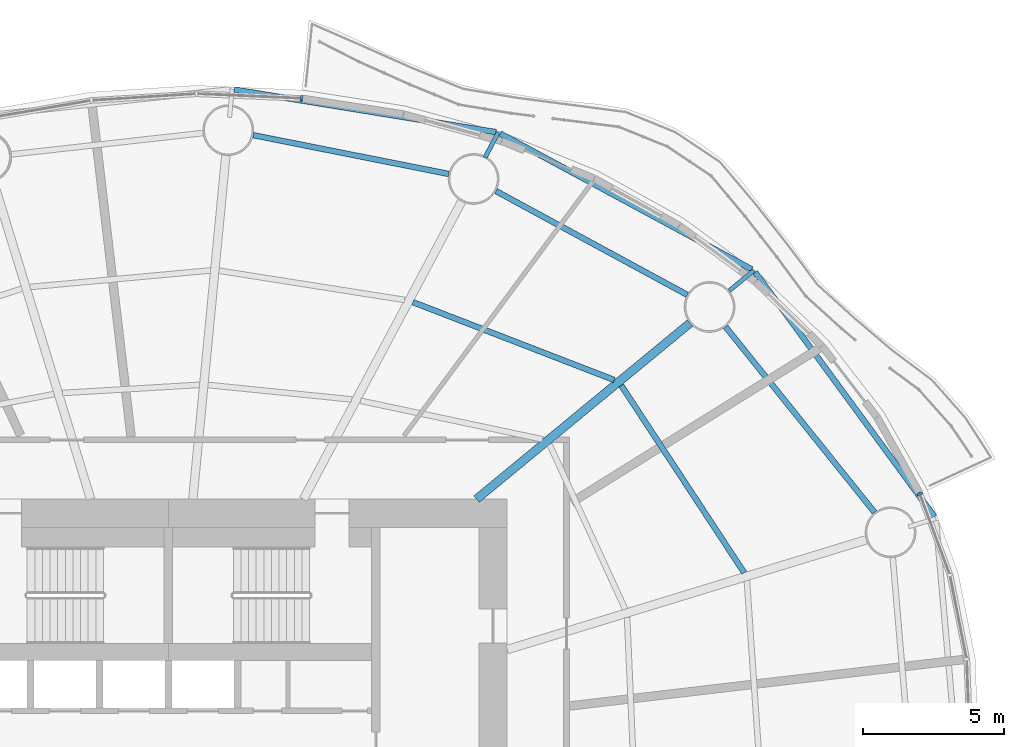
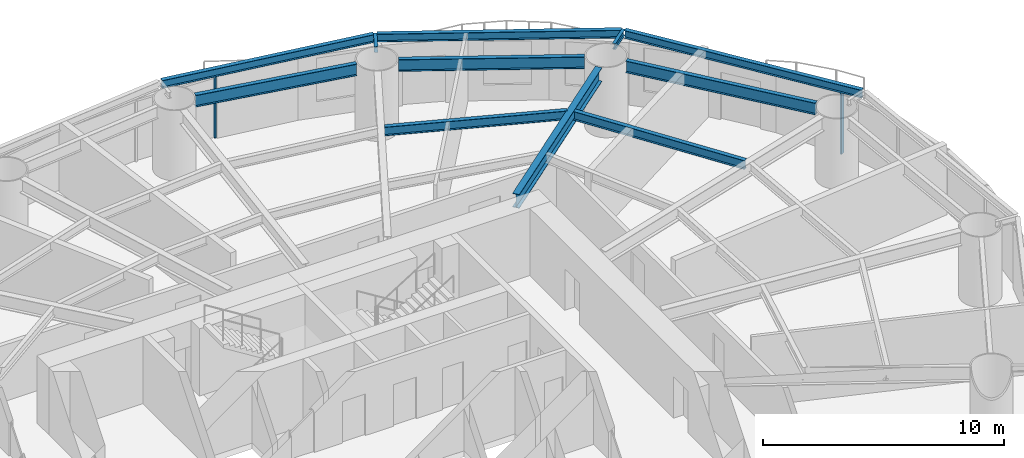
# One storey, part 6 of 16: 11 beams, 2 members, 2 elements without a shape of their own.
"""IFC4 building model written with IfcOpenShell, lengths in metres."""

from ifc_helpers import new_model, si_unit, direction, frame, origin, origin_2d, place, context, subcontext, project, spatial, rectangle, i_section, extrude, material, material_profile, profile_set, type_object, element, aggregate, save


model = new_model("IFC4")

# Units and contexts
model_context = context("Model", 3, precision=1e-05, world=origin(), true_north=direction((0.0, 1.0)))
body_context = subcontext(model_context, "Body", "Model", "MODEL_VIEW")
ifc_project = project(units=[si_unit("LENGTHUNIT", "METRE"), si_unit("AREAUNIT", "SQUARE_METRE"), si_unit("VOLUMEUNIT", "CUBIC_METRE"), si_unit("PLANEANGLEUNIT", "RADIAN"), si_unit("MASSUNIT", "GRAM", prefix="KILO")], contexts=[model_context])

# Site, building, storey
site_placement = place(None, origin())
site = spatial("IfcSite", under=ifc_project, at=site_placement, CompositionType="ELEMENT")
building_placement = place(site_placement, origin())
building = spatial("IfcBuilding", under=site, at=building_placement, Name="Vermilion Reach Broadcast Tower", CompositionType="ELEMENT")
storey_placement = place(building_placement, frame((0.0, 0.0, 61.89990234375)))
storey = spatial("IfcBuildingStorey", under=building, at=storey_placement, Name="L12", CompositionType="ELEMENT", Elevation=61.89990234375)

# Beams
ifc_material_1 = material(Name="Steel S355J2", Category="steel")
ifc_material_profile_1 = material_profile(ifc_material_1, i_section(OverallWidth=0.199951171875, OverallDepth=0.39990234375, WebThickness=0.008056640625, FlangeThickness=0.012939453125, at=origin_2d()), Name="S355J2 HN 400x200x8x13")
ifc_profile_set_1 = profile_set([ifc_material_profile_1], Name="Steel S355J2")
beam_type_1 = type_object("IfcBeamType", Name="EB1 HN 400x200x8x13", PredefinedType="BEAM", material=ifc_profile_set_1)
beam_1_placement = place(storey_placement, frame((21.12841796875, 8.377685546875, 3.35009765625), z_axis=(-0.591343950803, 0.806419451556, 0.0), x_axis=(-0.806419451556, -0.591343950803, 0.0)))
element("IfcBeam", 1, at=beam_1_placement, inside=storey, type_object=beam_type_1, Name="Edge beam EB1-01", PredefinedType="BEAM", context=body_context, shape_type="SweptSolid", body=[
    extrude(i_section(OverallWidth=0.199951171875, OverallDepth=0.39990234375, WebThickness=0.008056640625, FlangeThickness=0.012939453125, at=origin_2d()), origin(), (0.0, 0.0, 1.0), 10.738525390625),
])
beam_2_placement = place(storey_placement, frame((14.662841796875, 17.13623046875, 3.35009765625), z_axis=(-0.879994667337, 0.474983563356, 0.0), x_axis=(-0.474983563356, -0.879994667337, 0.0)))
element("IfcBeam", 2, at=beam_2_placement, inside=storey, type_object=beam_type_1, Name="Edge beam EB1-02", PredefinedType="BEAM", context=body_context, shape_type="SweptSolid", body=[
    extrude(i_section(OverallWidth=0.199951171875, OverallDepth=0.39990234375, WebThickness=0.008056640625, FlangeThickness=0.012939453125, at=origin_2d()), origin(), (0.0, 0.0, 1.0), 10.12890625),
])
beam_3_placement = place(storey_placement, frame((5.60546875, 21.99560546875, 3.35009765625), z_axis=(-0.987048362021, 0.160422975389, 0.0), x_axis=(-0.160422975389, -0.987048362021, 0.0)))
element("IfcBeam", 3, at=beam_3_placement, inside=storey, type_object=beam_type_1, Name="Edge beam EB1-03", PredefinedType="BEAM", context=body_context, shape_type="SweptSolid", body=[
    extrude(i_section(OverallWidth=0.199951171875, OverallDepth=0.39990234375, WebThickness=0.008056640625, FlangeThickness=0.012939453125, at=origin_2d()), origin(), (0.0, 0.0, 1.0), 9.392822265625),
])
ifc_material_2 = material(Name="Steel S355J2", Category="steel")
ifc_material_profile_2 = material_profile(ifc_material_2, i_section(OverallWidth=0.300048828125, OverallDepth=0.699951171875, WebThickness=0.012939453125, FlangeThickness=0.02392578125, at=origin_2d()), Name="S355J2 HN 700x300x13x24")
ifc_profile_set_2 = profile_set([ifc_material_profile_2], Name="Steel S355J2")
beam_type_2 = type_object("IfcBeamType", Name="G1 HN 700x300x13x24", PredefinedType="BEAM", material=ifc_profile_set_2)
beam_4_placement = place(storey_placement, frame((4.9140625, 9.0, 3.2001953125), z_axis=(0.771514256373, 0.636212034005, 0.0), x_axis=(-0.636212034005, 0.771514256373, 0.0)))
element("IfcBeam", 4, at=beam_4_placement, inside=storey, type_object=beam_type_2, Name="Girder G1-02", PredefinedType="BEAM", context=body_context, shape_type="SweptSolid", body=[
    extrude(i_section(OverallWidth=0.300048828125, OverallDepth=0.699951171875, WebThickness=0.012939453125, FlangeThickness=0.02392578125, at=origin_2d()), origin(), (0.0, 0.0, 1.0), 9.796142578125),
])
ifc_material_3 = material(Name="Steel S355J2", Category="steel")
ifc_material_profile_3 = material_profile(ifc_material_3, i_section(OverallWidth=0.14990234375, OverallDepth=0.300048828125, WebThickness=0.006591796875, FlangeThickness=0.009033203125, at=origin_2d()), Name="S355J2 HN 300x150x6.5x9")
ifc_profile_set_3 = profile_set([ifc_material_profile_3], Name="Steel S355J2")
beam_type_3 = type_object("IfcBeamType", Name="GS1 HN 300x150x6.5x9", PredefinedType="BEAM", material=ifc_profile_set_3)
beam_5_placement = place(storey_placement, frame((13.860595703125, 16.377685546875, 3.400146484375), z_axis=(0.771481788311, 0.636251404953, 0.0), x_axis=(-0.636251404953, 0.771481788311, 0.0)))
element("IfcBeam", 5, at=beam_5_placement, inside=storey, type_object=beam_type_3, Name="Cantilever stub GS1-02", PredefinedType="BEAM", context=body_context, shape_type="SweptSolid", body=[
    extrude(i_section(OverallWidth=0.14990234375, OverallDepth=0.300048828125, WebThickness=0.006591796875, FlangeThickness=0.009033203125, at=origin_2d()), origin(), (0.0, 0.0, 1.0), 1.132080078125),
])
beam_6_placement = place(storey_placement, frame((5.214111328125, 21.099853515625, 3.400146484375), z_axis=(0.469434829463, 0.882967123333, 0.0), x_axis=(-0.882967123333, 0.469434829463, 0.0)))
element("IfcBeam", 6, at=beam_6_placement, inside=storey, type_object=beam_type_3, Name="Cantilever stub GS1-03", PredefinedType="BEAM", context=body_context, shape_type="SweptSolid", body=[
    extrude(i_section(OverallWidth=0.14990234375, OverallDepth=0.300048828125, WebThickness=0.006591796875, FlangeThickness=0.009033203125, at=origin_2d()), origin(), (0.0, 0.0, 1.0), 1.0),
])
ifc_material_4 = material(Name="Steel S355J2", Category="steel")
ifc_material_profile_4 = material_profile(ifc_material_4, i_section(OverallWidth=0.199951171875, OverallDepth=0.60009765625, WebThickness=0.010986328125, FlangeThickness=0.01708984375, at=origin_2d()), Name="S355J2 HN 600x200x11x17")
ifc_profile_set_4 = profile_set([ifc_material_profile_4], Name="Steel S355J2")
beam_type_4 = type_object("IfcBeamType", Name="RB1 HN 600x200x11x17", PredefinedType="BEAM", material=ifc_profile_set_4)
beam_7_placement = place(storey_placement, frame((19.011962890625, 8.52587890625, 3.25), z_axis=(-0.626162157191, 0.779692858055, 0.0), x_axis=(-0.779692858055, -0.626162157191, 0.0)))
element("IfcBeam", 7, at=beam_7_placement, inside=storey, type_object=beam_type_4, Name="Ring beam RB1-01", PredefinedType="BEAM", context=body_context, shape_type="SweptSolid", body=[
    extrude(i_section(OverallWidth=0.199951171875, OverallDepth=0.60009765625, WebThickness=0.010986328125, FlangeThickness=0.01708984375, at=origin_2d()), origin(), (0.0, 0.0, 1.0), 8.435791015625),
])
beam_8_placement = place(storey_placement, frame((12.375244140625, 16.234130859375, 3.25), z_axis=(-0.878962319551, 0.476891225344, 0.0), x_axis=(-0.476891225344, -0.878962319551, 0.0)))
element("IfcBeam", 8, at=beam_8_placement, inside=storey, type_object=beam_type_4, Name="Ring beam RB1-02", PredefinedType="BEAM", context=body_context, shape_type="SweptSolid", body=[
    extrude(i_section(OverallWidth=0.199951171875, OverallDepth=0.60009765625, WebThickness=0.010986328125, FlangeThickness=0.01708984375, at=origin_2d()), origin(), (0.0, 0.0, 1.0), 7.707275390625),
])
beam_9_placement = place(storey_placement, frame((3.927001953125, 20.51416015625, 3.25), z_axis=(-0.980857717995, 0.194725799651, 0.0), x_axis=(-0.194725799651, -0.980857717995, 0.0)))
element("IfcBeam", 9, at=beam_9_placement, inside=storey, type_object=beam_type_4, Name="Ring beam RB1-03", PredefinedType="BEAM", context=body_context, shape_type="SweptSolid", body=[
    extrude(i_section(OverallWidth=0.199951171875, OverallDepth=0.60009765625, WebThickness=0.010986328125, FlangeThickness=0.01708984375, at=origin_2d()), origin(), (0.0, 0.0, 1.0), 7.05859375),
])
ifc_material_5 = material(Name="Steel S355J2", Category="steel")
ifc_material_profile_5 = material_profile(ifc_material_5, i_section(OverallWidth=0.199951171875, OverallDepth=0.449951171875, WebThickness=0.009033203125, FlangeThickness=0.013916015625, at=origin_2d()), Name="S355J2 HN 450x200x9x14")
ifc_profile_set_5 = profile_set([ifc_material_profile_5], Name="Steel S355J2")
beam_type_5 = type_object("IfcBeamType", Name="SB1 HN 450x200x9x14", PredefinedType="BEAM", material=ifc_profile_set_5)
beam_10_placement = place(storey_placement, frame((14.390625, 6.394775390625, 3.3251953125), z_axis=(-0.548800909102, 0.835953086105, 0.0), x_axis=(-0.835953086105, -0.548800909102, 0.0)))
element("IfcBeam", 10, at=beam_10_placement, inside=storey, type_object=beam_type_5, Name="Secondary beam SB1-01-2", PredefinedType="BEAM", context=body_context, shape_type="SweptSolid", body=[
    extrude(i_section(OverallWidth=0.199951171875, OverallDepth=0.449951171875, WebThickness=0.009033203125, FlangeThickness=0.013916015625, at=origin_2d()), origin(), (0.0, 0.0, 1.0), 7.935791015625),
])
beam_11_placement = place(storey_placement, frame((9.7919921875, 13.217041015625, 3.3251953125), z_axis=(-0.932680743753, 0.360702966765, 0.0), x_axis=(-0.360702966765, -0.932680743753, 0.0)))
element("IfcBeam", 11, at=beam_11_placement, inside=storey, type_object=beam_type_5, Name="Secondary beam SB1-02-2", PredefinedType="BEAM", context=body_context, shape_type="SweptSolid", body=[
    extrude(i_section(OverallWidth=0.199951171875, OverallDepth=0.449951171875, WebThickness=0.009033203125, FlangeThickness=0.013916015625, at=origin_2d()), origin(), (0.0, 0.0, 1.0), 7.646240234375),
])

# Curtain wall, member
ifc_material_6 = material(Name="Low-e laminated clear glass in aluminium frame", Category="aluminium")
curtain_wall_type = type_object("IfcCurtainWallType", Name="Slot curtain wall", PredefinedType="NOTDEFINED", material=ifc_material_6)
placement = place(storey_placement, origin())
curtain_wall_1 = element("IfcCurtainWall", 12, at=placement, inside=storey, type_object=curtain_wall_type, Name="Slot curtain wall L12 01", PredefinedType="NOTDEFINED")
ifc_material_7 = material(Name="Anodised aluminium", Category="aluminium")
ifc_material_profile_6 = material_profile(ifc_material_7, rectangle(XDim=0.199951171875, YDim=0.080078125, at=origin_2d()), Name="Slot mullion 80 x 200")
ifc_profile_set_6 = profile_set([ifc_material_profile_6], Name="Anodised aluminium")
member_type = type_object("IfcMemberType", Name="Slot mullion 80 x 200", PredefinedType="MULLION", material=ifc_profile_set_6)
member_1_placement = place(storey_placement, frame((20.614013671875, 9.186279296875, 0.0), z_axis=(0.0, 0.0, 1.0), x_axis=(-0.907825623246, -0.419347872033, 0.0)))
member_1 = element("IfcMember", 13, at=member_1_placement, type_object=member_type, Name="Slot mullion L12 02", PredefinedType="MULLION", context=body_context, shape_type="SweptSolid", body=[
    extrude(rectangle(XDim=0.199951171875, YDim=0.080078125, at=origin_2d()), origin(), (0.0, 0.0, 1.0), 3.150146484375),
])
aggregate(curtain_wall_1, [member_1])

curtain_wall_2 = element("IfcCurtainWall", 14, at=placement, inside=storey, type_object=curtain_wall_type, Name="Slot curtain wall L12 10", PredefinedType="NOTDEFINED")
member_2_placement = place(storey_placement, frame((-1.299072265625, 23.18994140625, 0.0), z_axis=(0.0, 0.0, 1.0), x_axis=(-0.098989748267, -0.995088453223, 0.0)))
member_2 = element("IfcMember", 15, at=member_2_placement, type_object=member_type, Name="Slot mullion L12 10", PredefinedType="MULLION", context=body_context, shape_type="SweptSolid", body=[
    extrude(rectangle(XDim=0.199951171875, YDim=0.080078125, at=origin_2d()), origin(), (0.0, 0.0, 1.0), 3.150146484375),
])
aggregate(curtain_wall_2, [member_2])

save(model, "model.ifc")
